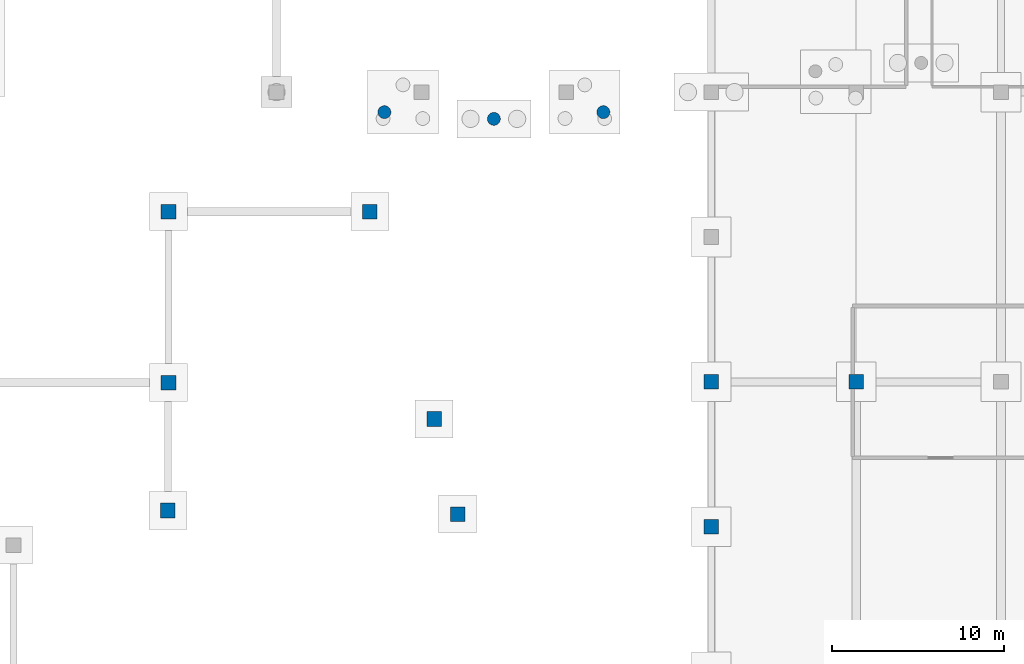
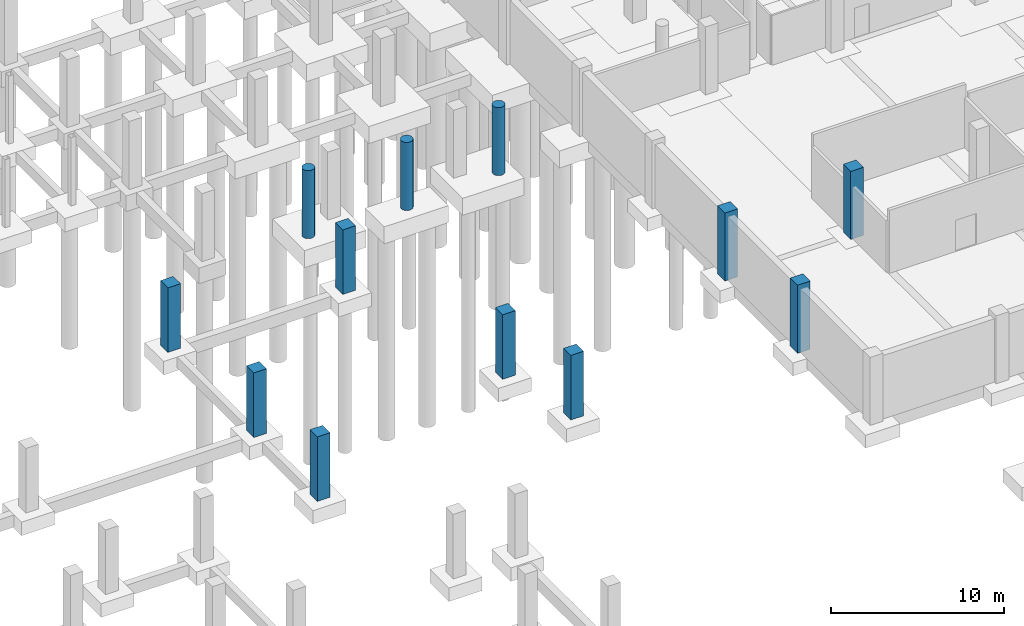
# One storey, part 22 of 44: 12 columns.
"""IFC4 building model written with IfcOpenShell, lengths in metres."""

from ifc_helpers import new_model, si_unit, direction, frame, origin, origin_2d, place, context, subcontext, project, spatial, rectangle, circle, extrude, material, material_profile, profile_set, type_object, element, save


model = new_model("IFC4")

# Units and contexts
model_context = context("Model", 3, precision=1e-05, world=origin(), true_north=direction((0.0, 1.0)))
body_context = subcontext(model_context, "Body", "Model", "MODEL_VIEW")
ifc_project = project(units=[si_unit("LENGTHUNIT", "METRE"), si_unit("AREAUNIT", "SQUARE_METRE"), si_unit("VOLUMEUNIT", "CUBIC_METRE"), si_unit("PLANEANGLEUNIT", "RADIAN"), si_unit("MASSUNIT", "GRAM", prefix="KILO")], contexts=[model_context])

# Site, building, storey
site_placement = place(None, origin())
site = spatial("IfcSite", under=ifc_project, at=site_placement, CompositionType="ELEMENT")
building_placement = place(site_placement, origin())
building = spatial("IfcBuilding", under=site, at=building_placement, Name="Kisaragi Civic Commons", CompositionType="ELEMENT")
storey_placement = place(building_placement, frame((0.0, 0.0, -4.800048828125)))
storey = spatial("IfcBuildingStorey", under=building, at=storey_placement, Name="B1", CompositionType="ELEMENT", Elevation=-4.800048828125)

# Columns
ifc_material = material(Name="Concrete Fc36", Category="concrete")
ifc_material_profile_1 = material_profile(ifc_material, rectangle(XDim=0.85009765625, YDim=0.85009765625, at=origin_2d()), Name="RC-850x850", Category="concrete")
ifc_profile_set_1 = profile_set([ifc_material_profile_1], Name="Concrete Fc36")
column_type_1 = type_object("IfcColumnType", Name="C-01", PredefinedType="COLUMN", material=ifc_profile_set_1)
for number, where, z_axis, x_axis, name in (
    (1, (65.701416015625, 71.74755859375, 0.0), (0.0, 0.0, 1.0), (1.0, 0.0, 0.0), "B1 column C-01 (65.7,71.7)"),
    (2, (65.736328125, 79.159912109375, 0.0), (0.0, 0.0, 1.0), (1.0, 0.0, 0.0), "B1 column C-01 (65.7,79.2)"),
    (3, (65.736328125, 89.073486328125, 0.0), (0.0, 0.0, 1.0), (1.0, 0.0, 0.0), "B1 column C-01 (65.7,89.1)"),
    (4, (77.409912109375, 89.073486328125, 0.0), (0.0, 0.0, 1.0), (1.0, 0.0, 0.0), "B1 column C-01 (77.4,89.1)"),
    (5, (81.134765625, 77.048583984375, 0.0), (0.0, 0.0, 1.0), (1.0, 0.0, 0.0), "B1 column C-01 (81.1,77.0)"),
    (6, (82.498291015625, 71.53076171875, 0.0), (0.0, 0.0, 1.0), (1.0, 0.0, 0.0), "B1 column C-01 (82.5,71.5)"),
):
    element("IfcColumn", number, at=place(storey_placement, frame(where, z_axis=z_axis, x_axis=x_axis)), inside=storey, type_object=column_type_1, Name=name, PredefinedType="COLUMN", context=body_context, shape_type="SweptSolid", body=[
        extrude(rectangle(XDim=0.85009765625, YDim=0.85009765625, at=origin_2d()), origin(), (0.0, 0.0, 1.0), 4.554931640625),
    ])
ifc_material_profile_2 = material_profile(ifc_material, rectangle(XDim=0.85009765625, YDim=0.85009765625, at=origin_2d()), Name="RC-850x850", Category="concrete")
ifc_profile_set_2 = profile_set([ifc_material_profile_2], Name="Concrete Fc36")
column_type_2 = type_object("IfcColumnType", Name="C-05", PredefinedType="COLUMN", material=ifc_profile_set_2)
for number, where, z_axis, x_axis, name in (
    (7, (97.199951171875, 70.800048828125, 0.0), (0.0, 0.0, 1.0), (1.0, 0.0, 0.0), "B1 column C-05 (97.2,70.8)"),
    (8, (97.199951171875, 79.199951171875, 0.0), (0.0, 0.0, 1.0), (1.0, 0.0, 0.0), "B1 column C-05 (97.2,79.2)"),
    (9, (105.60009765625, 79.199951171875, 0.0), (0.0, 0.0, 1.0), (1.0, 0.0, 0.0), "B1 column C-05 (105.6,79.2)"),
):
    element("IfcColumn", number, at=place(storey_placement, frame(where, z_axis=z_axis, x_axis=x_axis)), inside=storey, type_object=column_type_2, Name=name, PredefinedType="COLUMN", context=body_context, shape_type="SweptSolid", body=[
        extrude(rectangle(XDim=0.85009765625, YDim=0.85009765625, at=origin_2d()), origin(), (0.0, 0.0, 1.0), 4.800048828125),
    ])
ifc_material_profile_3 = material_profile(ifc_material, circle(Radius=0.375, at=origin_2d()), Name="RC-D750", Category="concrete")
ifc_profile_set_3 = profile_set([ifc_material_profile_3], Name="Concrete Fc36")
column_type_3 = type_object("IfcColumnType", Name="C-24", PredefinedType="COLUMN", material=ifc_profile_set_3)
for number, where, z_axis, x_axis, name in (
    (10, (78.25244140625, 94.839111328125, 0.0), (0.0, 0.0, 1.0), (1.0, 0.0, 0.0), "B1 column C-24 (78.3,94.8)"),
    (11, (84.60009765625, 94.450439453125, 0.0), (0.0, 0.0, 1.0), (1.0, 0.0, 0.0), "B1 column C-24 (84.6,94.5)"),
    (12, (90.947509765625, 94.839111328125, 0.0), (0.0, 0.0, 1.0), (1.0, 0.0, 0.0), "B1 column C-24 (90.9,94.8)"),
):
    element("IfcColumn", number, at=place(storey_placement, frame(where, z_axis=z_axis, x_axis=x_axis)), inside=storey, type_object=column_type_3, Name=name, PredefinedType="COLUMN", context=body_context, shape_type="SweptSolid", body=[
        extrude(circle(Radius=0.375, at=origin_2d()), origin(), (0.0, 0.0, 1.0), 4.800048828125),
    ])

save(model, "model.ifc")
